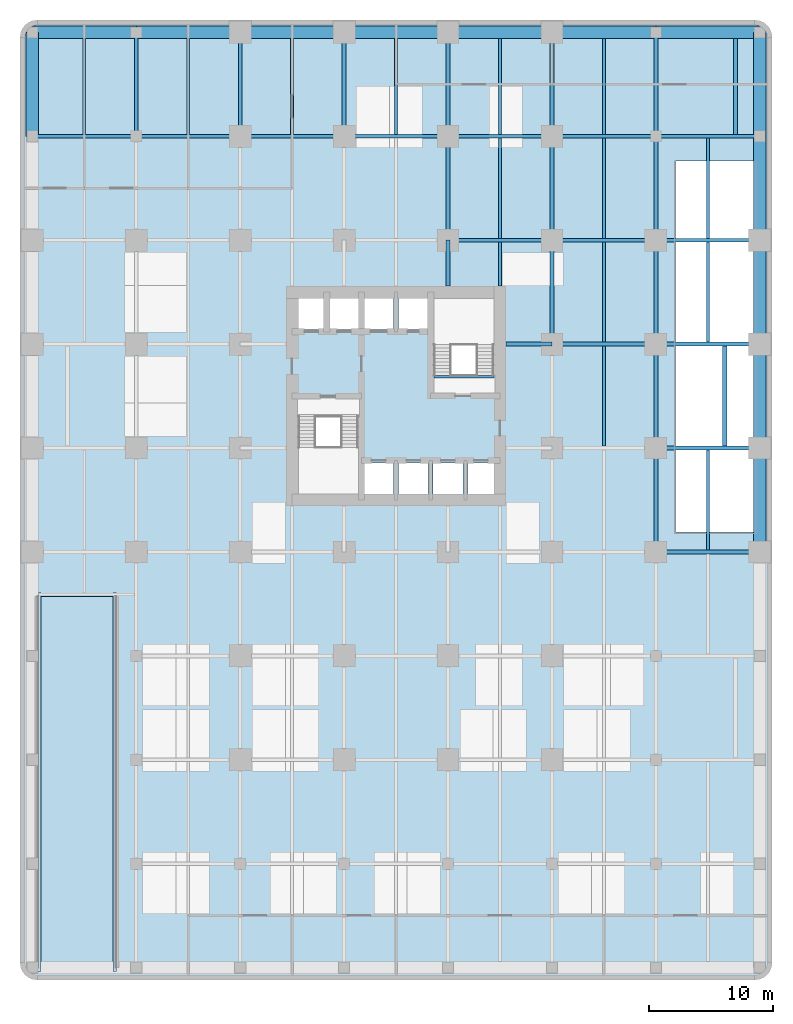
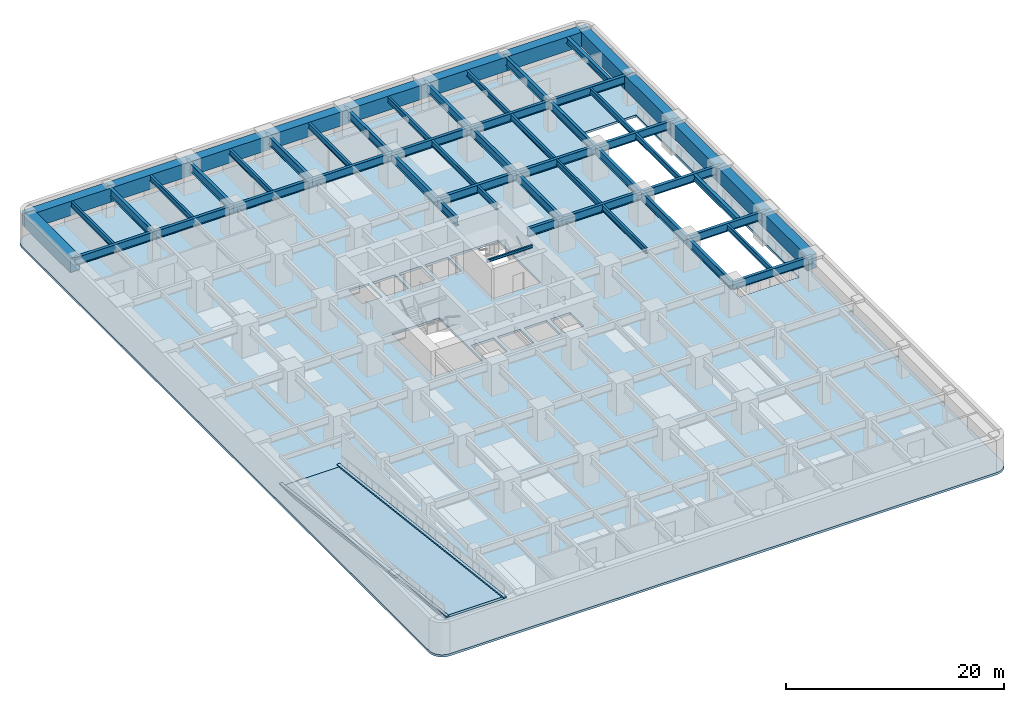
# One storey, part 3 of 9: 59 beams, 4 slabs.
"""IFC4 building model written with IfcOpenShell, lengths in metres."""

from ifc_helpers import new_model, si_unit, direction, frame, origin, origin_2d, place, context, subcontext, project, spatial, polyline, rectangle, i_section, outline, extrude, material, layer, layer_set, material_profile, profile_set, type_object, element, save


model = new_model("IFC4")

# Units and contexts
model_context = context("Model", 3, precision=1e-05, world=origin(), true_north=direction((0.0, 1.0)))
body_context = subcontext(model_context, "Body", "Model", "MODEL_VIEW")
ifc_project = project(units=[si_unit("LENGTHUNIT", "METRE"), si_unit("AREAUNIT", "SQUARE_METRE"), si_unit("VOLUMEUNIT", "CUBIC_METRE"), si_unit("PLANEANGLEUNIT", "RADIAN"), si_unit("MASSUNIT", "GRAM", prefix="KILO")], contexts=[model_context])

# Site, building, storey
site_placement = place(None, origin())
site = spatial("IfcSite", under=ifc_project, at=site_placement, CompositionType="ELEMENT")
building_placement = place(site_placement, origin())
building = spatial("IfcBuilding", under=site, at=building_placement, Name="Torre Alcanfor", CompositionType="ELEMENT")
storey_placement = place(building_placement, frame((0.0, 0.0, -3.60009765625)))
storey = spatial("IfcBuildingStorey", under=building, at=storey_placement, Name="B1", CompositionType="ELEMENT", Elevation=-3.60009765625)

# Beams
ifc_material_1 = material(Name="Steel ASTM A992 Grade 50", Category="steel")
ifc_material_profile_1 = material_profile(ifc_material_1, i_section(OverallWidth=0.3046875, OverallDepth=0.911865234375, WebThickness=0.015869140625, FlangeThickness=0.02392578125, at=origin_2d()), Name="W36x150")
ifc_profile_set_1 = profile_set([ifc_material_profile_1], Name="Steel ASTM A992 Grade 50")
beam_type_1 = type_object("IfcBeamType", Name="Girder W36x150", PredefinedType="BEAM", material=ifc_profile_set_1)
for number, where, z_axis, x_axis, name in (
    (1, (50.39990234375, 16.800048828125, 2.84423828125), (1.0, 0.0, 0.0), (0.0, 1.0, 0.0), "Beam 7E-8E under L00"),
    (2, (50.39990234375, 25.199951171875, 2.84423828125), (1.0, 0.0, 0.0), (0.0, 1.0, 0.0), "Beam 7F-8F under L00"),
):
    element("IfcBeam", number, at=place(storey_placement, frame(where, z_axis=z_axis, x_axis=x_axis)), inside=storey, type_object=beam_type_1, Name=name, PredefinedType="BEAM", context=body_context, shape_type="SweptSolid", body=[
        extrude(i_section(OverallWidth=0.3046875, OverallDepth=0.911865234375, WebThickness=0.015869140625, FlangeThickness=0.02392578125, at=origin_2d()), origin(), (0.0, 0.0, 1.0), 8.400146484375),
    ])
beam_1_placement = place(storey_placement, frame((42.0, 33.60009765625, 2.84423828125), z_axis=(1.0, 0.0, 0.0), x_axis=(0.0, 1.0, 0.0)))
element("IfcBeam", 3, at=beam_1_placement, inside=storey, type_object=beam_type_1, Name="Beam 6G-7G under L00", PredefinedType="BEAM", context=body_context, shape_type="SweptSolid", body=[
    extrude(i_section(OverallWidth=0.3046875, OverallDepth=0.911865234375, WebThickness=0.015869140625, FlangeThickness=0.02392578125, at=origin_2d()), origin(), (0.0, 0.0, 1.0), 8.39990234375),
])
beam_2_placement = place(storey_placement, frame((50.39990234375, 33.60009765625, 2.84423828125), z_axis=(1.0, 0.0, 0.0), x_axis=(0.0, 1.0, 0.0)))
element("IfcBeam", 4, at=beam_2_placement, inside=storey, type_object=beam_type_1, Name="Beam 7G-8G under L00", PredefinedType="BEAM", context=body_context, shape_type="SweptSolid", body=[
    extrude(i_section(OverallWidth=0.3046875, OverallDepth=0.911865234375, WebThickness=0.015869140625, FlangeThickness=0.02392578125, at=origin_2d()), origin(), (0.0, 0.0, 1.0), 8.400146484375),
])
for number, where, z_axis, x_axis, name in (
    (5, (33.60009765625, 42.0, 2.84423828125), (1.0, 0.0, 0.0), (0.0, 1.0, 0.0), "Beam 5H-6H under L00"),
    (6, (42.0, 42.0, 2.84423828125), (1.0, 0.0, 0.0), (0.0, 1.0, 0.0), "Beam 6H-7H under L00"),
):
    element("IfcBeam", number, at=place(storey_placement, frame(where, z_axis=z_axis, x_axis=x_axis)), inside=storey, type_object=beam_type_1, Name=name, PredefinedType="BEAM", context=body_context, shape_type="SweptSolid", body=[
        extrude(i_section(OverallWidth=0.3046875, OverallDepth=0.911865234375, WebThickness=0.015869140625, FlangeThickness=0.02392578125, at=origin_2d()), origin(), (0.0, 0.0, 1.0), 8.39990234375),
    ])
beam_3_placement = place(storey_placement, frame((50.39990234375, 42.0, 2.84423828125), z_axis=(1.0, 0.0, 0.0), x_axis=(0.0, 1.0, 0.0)))
element("IfcBeam", 7, at=beam_3_placement, inside=storey, type_object=beam_type_1, Name="Beam 7H-8H under L00", PredefinedType="BEAM", context=body_context, shape_type="SweptSolid", body=[
    extrude(i_section(OverallWidth=0.3046875, OverallDepth=0.911865234375, WebThickness=0.015869140625, FlangeThickness=0.02392578125, at=origin_2d()), origin(), (0.0, 0.0, 1.0), 8.400146484375),
])
beam_4_placement = place(storey_placement, frame((0.0, 50.39990234375, 2.84423828125), z_axis=(1.0, 0.0, 0.0), x_axis=(0.0, 1.0, 0.0)))
element("IfcBeam", 8, at=beam_4_placement, inside=storey, type_object=beam_type_1, Name="Beam 1J-2J under L00", PredefinedType="BEAM", context=body_context, shape_type="SweptSolid", body=[
    extrude(i_section(OverallWidth=0.3046875, OverallDepth=0.911865234375, WebThickness=0.015869140625, FlangeThickness=0.02392578125, at=origin_2d()), origin(), (0.0, 0.0, 1.0), 8.39990234375),
])
beam_5_placement = place(storey_placement, frame((8.39990234375, 50.39990234375, 2.84423828125), z_axis=(1.0, 0.0, 0.0), x_axis=(0.0, 1.0, 0.0)))
element("IfcBeam", 9, at=beam_5_placement, inside=storey, type_object=beam_type_1, Name="Beam 2J-3J under L00", PredefinedType="BEAM", context=body_context, shape_type="SweptSolid", body=[
    extrude(i_section(OverallWidth=0.3046875, OverallDepth=0.911865234375, WebThickness=0.015869140625, FlangeThickness=0.02392578125, at=origin_2d()), origin(), (0.0, 0.0, 1.0), 8.400146484375),
])
beam_6_placement = place(storey_placement, frame((16.800048828125, 50.39990234375, 2.84423828125), z_axis=(1.0, 0.0, 0.0), x_axis=(0.0, 1.0, 0.0)))
element("IfcBeam", 10, at=beam_6_placement, inside=storey, type_object=beam_type_1, Name="Beam 3J-4J under L00", PredefinedType="BEAM", context=body_context, shape_type="SweptSolid", body=[
    extrude(i_section(OverallWidth=0.3046875, OverallDepth=0.911865234375, WebThickness=0.015869140625, FlangeThickness=0.02392578125, at=origin_2d()), origin(), (0.0, 0.0, 1.0), 8.39990234375),
])
beam_7_placement = place(storey_placement, frame((25.199951171875, 50.39990234375, 2.84423828125), z_axis=(1.0, 0.0, 0.0), x_axis=(0.0, 1.0, 0.0)))
element("IfcBeam", 11, at=beam_7_placement, inside=storey, type_object=beam_type_1, Name="Beam 4J-5J under L00", PredefinedType="BEAM", context=body_context, shape_type="SweptSolid", body=[
    extrude(i_section(OverallWidth=0.3046875, OverallDepth=0.911865234375, WebThickness=0.015869140625, FlangeThickness=0.02392578125, at=origin_2d()), origin(), (0.0, 0.0, 1.0), 8.400146484375),
])
for number, where, z_axis, x_axis, name in (
    (12, (33.60009765625, 50.39990234375, 2.84423828125), (1.0, 0.0, 0.0), (0.0, 1.0, 0.0), "Beam 5J-6J under L00"),
    (13, (42.0, 50.39990234375, 2.84423828125), (1.0, 0.0, 0.0), (0.0, 1.0, 0.0), "Beam 6J-7J under L00"),
):
    element("IfcBeam", number, at=place(storey_placement, frame(where, z_axis=z_axis, x_axis=x_axis)), inside=storey, type_object=beam_type_1, Name=name, PredefinedType="BEAM", context=body_context, shape_type="SweptSolid", body=[
        extrude(i_section(OverallWidth=0.3046875, OverallDepth=0.911865234375, WebThickness=0.015869140625, FlangeThickness=0.02392578125, at=origin_2d()), origin(), (0.0, 0.0, 1.0), 8.39990234375),
    ])
for number, where, z_axis, x_axis, name in (
    (14, (50.39990234375, 50.39990234375, 2.84423828125), (1.0, 0.0, 0.0), (0.0, 1.0, 0.0), "Beam 7J-8J under L00"),
    (15, (8.39990234375, 50.39990234375, 2.84423828125), (0.0, 1.0, 0.0), (-1.0, 0.0, 0.0), "Beam 2J-2K under L00"),
    (16, (16.800048828125, 50.39990234375, 2.84423828125), (0.0, 1.0, 0.0), (-1.0, 0.0, 0.0), "Beam 3J-3K under L00"),
    (17, (25.199951171875, 50.39990234375, 2.84423828125), (0.0, 1.0, 0.0), (-1.0, 0.0, 0.0), "Beam 4J-4K under L00"),
):
    element("IfcBeam", number, at=place(storey_placement, frame(where, z_axis=z_axis, x_axis=x_axis)), inside=storey, type_object=beam_type_1, Name=name, PredefinedType="BEAM", context=body_context, shape_type="SweptSolid", body=[
        extrude(i_section(OverallWidth=0.3046875, OverallDepth=0.911865234375, WebThickness=0.015869140625, FlangeThickness=0.02392578125, at=origin_2d()), origin(), (0.0, 0.0, 1.0), 8.400146484375),
    ])
beam_8_placement = place(storey_placement, frame((33.60009765625, 42.0, 2.84423828125), z_axis=(0.0, 1.0, 0.0), x_axis=(-1.0, 0.0, 0.0)))
element("IfcBeam", 18, at=beam_8_placement, inside=storey, type_object=beam_type_1, Name="Beam 5H-5J under L00", PredefinedType="BEAM", context=body_context, shape_type="SweptSolid", body=[
    extrude(i_section(OverallWidth=0.3046875, OverallDepth=0.911865234375, WebThickness=0.015869140625, FlangeThickness=0.02392578125, at=origin_2d()), origin(), (0.0, 0.0, 1.0), 8.39990234375),
])
beam_9_placement = place(storey_placement, frame((33.60009765625, 50.39990234375, 2.84423828125), z_axis=(0.0, 1.0, 0.0), x_axis=(-1.0, 0.0, 0.0)))
element("IfcBeam", 19, at=beam_9_placement, inside=storey, type_object=beam_type_1, Name="Beam 5J-5K under L00", PredefinedType="BEAM", context=body_context, shape_type="SweptSolid", body=[
    extrude(i_section(OverallWidth=0.3046875, OverallDepth=0.911865234375, WebThickness=0.015869140625, FlangeThickness=0.02392578125, at=origin_2d()), origin(), (0.0, 0.0, 1.0), 8.400146484375),
])
for number, where, z_axis, x_axis, name in (
    (20, (42.0, 33.60009765625, 2.84423828125), (0.0, 1.0, 0.0), (-1.0, 0.0, 0.0), "Beam 6G-6H under L00"),
    (21, (42.0, 42.0, 2.84423828125), (0.0, 1.0, 0.0), (-1.0, 0.0, 0.0), "Beam 6H-6J under L00"),
):
    element("IfcBeam", number, at=place(storey_placement, frame(where, z_axis=z_axis, x_axis=x_axis)), inside=storey, type_object=beam_type_1, Name=name, PredefinedType="BEAM", context=body_context, shape_type="SweptSolid", body=[
        extrude(i_section(OverallWidth=0.3046875, OverallDepth=0.911865234375, WebThickness=0.015869140625, FlangeThickness=0.02392578125, at=origin_2d()), origin(), (0.0, 0.0, 1.0), 8.39990234375),
    ])
beam_10_placement = place(storey_placement, frame((42.0, 50.39990234375, 2.84423828125), z_axis=(0.0, 1.0, 0.0), x_axis=(-1.0, 0.0, 0.0)))
element("IfcBeam", 22, at=beam_10_placement, inside=storey, type_object=beam_type_1, Name="Beam 6J-6K under L00", PredefinedType="BEAM", context=body_context, shape_type="SweptSolid", body=[
    extrude(i_section(OverallWidth=0.3046875, OverallDepth=0.911865234375, WebThickness=0.015869140625, FlangeThickness=0.02392578125, at=origin_2d()), origin(), (0.0, 0.0, 1.0), 8.400146484375),
])
beam_11_placement = place(storey_placement, frame((50.39990234375, 16.800048828125, 2.84423828125), z_axis=(0.0, 1.0, 0.0), x_axis=(-1.0, 0.0, 0.0)))
element("IfcBeam", 23, at=beam_11_placement, inside=storey, type_object=beam_type_1, Name="Beam 7E-7F under L00", PredefinedType="BEAM", context=body_context, shape_type="SweptSolid", body=[
    extrude(i_section(OverallWidth=0.3046875, OverallDepth=0.911865234375, WebThickness=0.015869140625, FlangeThickness=0.02392578125, at=origin_2d()), origin(), (0.0, 0.0, 1.0), 8.39990234375),
])
beam_12_placement = place(storey_placement, frame((50.39990234375, 25.199951171875, 2.84423828125), z_axis=(0.0, 1.0, 0.0), x_axis=(-1.0, 0.0, 0.0)))
element("IfcBeam", 24, at=beam_12_placement, inside=storey, type_object=beam_type_1, Name="Beam 7F-7G under L00", PredefinedType="BEAM", context=body_context, shape_type="SweptSolid", body=[
    extrude(i_section(OverallWidth=0.3046875, OverallDepth=0.911865234375, WebThickness=0.015869140625, FlangeThickness=0.02392578125, at=origin_2d()), origin(), (0.0, 0.0, 1.0), 8.400146484375),
])
for number, where, z_axis, x_axis, name in (
    (25, (50.39990234375, 33.60009765625, 2.84423828125), (0.0, 1.0, 0.0), (-1.0, 0.0, 0.0), "Beam 7G-7H under L00"),
    (26, (50.39990234375, 42.0, 2.84423828125), (0.0, 1.0, 0.0), (-1.0, 0.0, 0.0), "Beam 7H-7J under L00"),
):
    element("IfcBeam", number, at=place(storey_placement, frame(where, z_axis=z_axis, x_axis=x_axis)), inside=storey, type_object=beam_type_1, Name=name, PredefinedType="BEAM", context=body_context, shape_type="SweptSolid", body=[
        extrude(i_section(OverallWidth=0.3046875, OverallDepth=0.911865234375, WebThickness=0.015869140625, FlangeThickness=0.02392578125, at=origin_2d()), origin(), (0.0, 0.0, 1.0), 8.39990234375),
    ])
beam_13_placement = place(storey_placement, frame((50.39990234375, 50.39990234375, 2.84423828125), z_axis=(0.0, 1.0, 0.0), x_axis=(-1.0, 0.0, 0.0)))
element("IfcBeam", 27, at=beam_13_placement, inside=storey, type_object=beam_type_1, Name="Beam 7J-7K under L00", PredefinedType="BEAM", context=body_context, shape_type="SweptSolid", body=[
    extrude(i_section(OverallWidth=0.3046875, OverallDepth=0.911865234375, WebThickness=0.015869140625, FlangeThickness=0.02392578125, at=origin_2d()), origin(), (0.0, 0.0, 1.0), 8.400146484375),
])
ifc_material_2 = material(Name="Steel ASTM A992 Grade 50", Category="steel")
ifc_material_profile_2 = material_profile(ifc_material_2, i_section(OverallWidth=0.3046875, OverallDepth=0.911865234375, WebThickness=0.015869140625, FlangeThickness=0.02392578125, at=origin_2d()), Name="W36x150")
ifc_profile_set_2 = profile_set([ifc_material_profile_2], Name="Steel ASTM A992 Grade 50")
beam_type_2 = type_object("IfcBeamType", Name="Girder, part bay W36x150", PredefinedType="BEAM", material=ifc_profile_set_2)
for number, where, z_axis, x_axis, name in (
    (28, (33.60009765625, 42.0, 2.84423828125), (0.0, -1.0, 0.0), (1.0, 0.0, 0.0), "Beam 5H-538_3 under L00"),
    (29, (42.0, 33.60009765625, 2.84423828125), (-1.0, 0.0, 0.0), (0.0, -1.0, 0.0), "Beam 6G-38_3G under L00"),
):
    element("IfcBeam", number, at=place(storey_placement, frame(where, z_axis=z_axis, x_axis=x_axis)), inside=storey, type_object=beam_type_2, Name=name, PredefinedType="BEAM", context=body_context, shape_type="SweptSolid", body=[
        extrude(i_section(OverallWidth=0.3046875, OverallDepth=0.911865234375, WebThickness=0.015869140625, FlangeThickness=0.02392578125, at=origin_2d()), origin(), (0.0, 0.0, 1.0), 3.699951171875),
    ])
ifc_material_3 = material(Name="Concrete f'c 70 MPa", Category="concrete")
ifc_material_profile_3 = material_profile(ifc_material_3, rectangle(XDim=1.0, YDim=1.60009765625, at=origin_2d()), Name="1000x1600")
ifc_profile_set_3 = profile_set([ifc_material_profile_3], Name="Concrete f'c 70 MPa")
beam_type_3 = type_object("IfcBeamType", Name="RC perimeter beam 1000x1600", PredefinedType="BEAM", material=ifc_profile_set_3)
beam_14_placement = place(storey_placement, frame((-0.5, 58.800048828125, 2.5), z_axis=(1.0, 0.0, 0.0), x_axis=(0.0, 1.0, 0.0)))
element("IfcBeam", 30, at=beam_14_placement, inside=storey, type_object=beam_type_3, Name="Beam 1K-2K under L00", PredefinedType="BEAM", context=body_context, shape_type="SweptSolid", body=[
    extrude(rectangle(XDim=1.0, YDim=1.60009765625, at=origin_2d()), origin(), (0.0, 0.0, 1.0), 8.89990234375),
])
beam_15_placement = place(storey_placement, frame((8.39990234375, 58.800048828125, 2.5), z_axis=(1.0, 0.0, 0.0), x_axis=(0.0, 1.0, 0.0)))
element("IfcBeam", 31, at=beam_15_placement, inside=storey, type_object=beam_type_3, Name="Beam 2K-3K under L00", PredefinedType="BEAM", context=body_context, shape_type="SweptSolid", body=[
    extrude(rectangle(XDim=1.0, YDim=1.60009765625, at=origin_2d()), origin(), (0.0, 0.0, 1.0), 8.400146484375),
])
beam_16_placement = place(storey_placement, frame((16.800048828125, 58.800048828125, 2.5), z_axis=(1.0, 0.0, 0.0), x_axis=(0.0, 1.0, 0.0)))
element("IfcBeam", 32, at=beam_16_placement, inside=storey, type_object=beam_type_3, Name="Beam 3K-4K under L00", PredefinedType="BEAM", context=body_context, shape_type="SweptSolid", body=[
    extrude(rectangle(XDim=1.0, YDim=1.60009765625, at=origin_2d()), origin(), (0.0, 0.0, 1.0), 8.39990234375),
])
beam_17_placement = place(storey_placement, frame((25.199951171875, 58.800048828125, 2.5), z_axis=(1.0, 0.0, 0.0), x_axis=(0.0, 1.0, 0.0)))
element("IfcBeam", 33, at=beam_17_placement, inside=storey, type_object=beam_type_3, Name="Beam 4K-5K under L00", PredefinedType="BEAM", context=body_context, shape_type="SweptSolid", body=[
    extrude(rectangle(XDim=1.0, YDim=1.60009765625, at=origin_2d()), origin(), (0.0, 0.0, 1.0), 8.400146484375),
])
for number, where, z_axis, x_axis, name in (
    (34, (33.60009765625, 58.800048828125, 2.5), (1.0, 0.0, 0.0), (0.0, 1.0, 0.0), "Beam 5K-6K under L00"),
    (35, (42.0, 58.800048828125, 2.5), (1.0, 0.0, 0.0), (0.0, 1.0, 0.0), "Beam 6K-7K under L00"),
):
    element("IfcBeam", number, at=place(storey_placement, frame(where, z_axis=z_axis, x_axis=x_axis)), inside=storey, type_object=beam_type_3, Name=name, PredefinedType="BEAM", context=body_context, shape_type="SweptSolid", body=[
        extrude(rectangle(XDim=1.0, YDim=1.60009765625, at=origin_2d()), origin(), (0.0, 0.0, 1.0), 8.39990234375),
    ])
beam_18_placement = place(storey_placement, frame((50.39990234375, 58.800048828125, 2.5), z_axis=(1.0, 0.0, 0.0), x_axis=(0.0, 1.0, 0.0)))
element("IfcBeam", 36, at=beam_18_placement, inside=storey, type_object=beam_type_3, Name="Beam 7K-8K under L00", PredefinedType="BEAM", context=body_context, shape_type="SweptSolid", body=[
    extrude(rectangle(XDim=1.0, YDim=1.60009765625, at=origin_2d()), origin(), (0.0, 0.0, 1.0), 8.900146484375),
])
beam_19_placement = place(storey_placement, frame((0.0, 50.39990234375, 2.5), z_axis=(0.0, 1.0, 0.0), x_axis=(-1.0, 0.0, 0.0)))
element("IfcBeam", 37, at=beam_19_placement, inside=storey, type_object=beam_type_3, Name="Beam 1J-1K under L00", PredefinedType="BEAM", context=body_context, shape_type="SweptSolid", body=[
    extrude(rectangle(XDim=1.0, YDim=1.60009765625, at=origin_2d()), origin(), (0.0, 0.0, 1.0), 8.400146484375),
])
beam_20_placement = place(storey_placement, frame((58.800048828125, 16.800048828125, 2.5), z_axis=(0.0, 1.0, 0.0), x_axis=(-1.0, 0.0, 0.0)))
element("IfcBeam", 38, at=beam_20_placement, inside=storey, type_object=beam_type_3, Name="Beam 8E-8F under L00", PredefinedType="BEAM", context=body_context, shape_type="SweptSolid", body=[
    extrude(rectangle(XDim=1.0, YDim=1.60009765625, at=origin_2d()), origin(), (0.0, 0.0, 1.0), 8.39990234375),
])
beam_21_placement = place(storey_placement, frame((58.800048828125, 25.199951171875, 2.5), z_axis=(0.0, 1.0, 0.0), x_axis=(-1.0, 0.0, 0.0)))
element("IfcBeam", 39, at=beam_21_placement, inside=storey, type_object=beam_type_3, Name="Beam 8F-8G under L00", PredefinedType="BEAM", context=body_context, shape_type="SweptSolid", body=[
    extrude(rectangle(XDim=1.0, YDim=1.60009765625, at=origin_2d()), origin(), (0.0, 0.0, 1.0), 8.400146484375),
])
for number, where, z_axis, x_axis, name in (
    (40, (58.800048828125, 33.60009765625, 2.5), (0.0, 1.0, 0.0), (-1.0, 0.0, 0.0), "Beam 8G-8H under L00"),
    (41, (58.800048828125, 42.0, 2.5), (0.0, 1.0, 0.0), (-1.0, 0.0, 0.0), "Beam 8H-8J under L00"),
):
    element("IfcBeam", number, at=place(storey_placement, frame(where, z_axis=z_axis, x_axis=x_axis)), inside=storey, type_object=beam_type_3, Name=name, PredefinedType="BEAM", context=body_context, shape_type="SweptSolid", body=[
        extrude(rectangle(XDim=1.0, YDim=1.60009765625, at=origin_2d()), origin(), (0.0, 0.0, 1.0), 8.39990234375),
    ])
beam_22_placement = place(storey_placement, frame((58.800048828125, 50.39990234375, 2.5), z_axis=(0.0, 1.0, 0.0), x_axis=(-1.0, 0.0, 0.0)))
element("IfcBeam", 42, at=beam_22_placement, inside=storey, type_object=beam_type_3, Name="Beam 8J-8K under L00", PredefinedType="BEAM", context=body_context, shape_type="SweptSolid", body=[
    extrude(rectangle(XDim=1.0, YDim=1.60009765625, at=origin_2d()), origin(), (0.0, 0.0, 1.0), 8.400146484375),
])
ifc_material_4 = material(Name="Steel ASTM A992 Grade 50", Category="steel")
ifc_material_profile_4 = material_profile(ifc_material_4, i_section(OverallWidth=0.22900390625, OverallDepth=0.612060546875, WebThickness=0.011962890625, FlangeThickness=0.01953125, at=origin_2d()), Name="W24x84")
ifc_profile_set_4 = profile_set([ifc_material_profile_4], Name="Steel ASTM A992 Grade 50")
beam_type_4 = type_object("IfcBeamType", Name="Secondary beam W24x84", PredefinedType="BEAM", material=ifc_profile_set_4)
for number, where, z_axis, x_axis, name in (
    (43, (4.199951171875, 50.552001953125, 2.994140625), (0.0, 1.0, 0.0), (-1.0, 0.0, 0.0), "Beam 4_2J-4_2K under L00"),
    (44, (12.60009765625, 50.552001953125, 2.994140625), (0.0, 1.0, 0.0), (-1.0, 0.0, 0.0), "Beam 12_6J-12_6K under L00"),
    (45, (21.0, 50.552001953125, 2.994140625), (0.0, 1.0, 0.0), (-1.0, 0.0, 0.0), "Beam 21J-21K under L00"),
    (46, (29.39990234375, 50.552001953125, 2.994140625), (0.0, 1.0, 0.0), (-1.0, 0.0, 0.0), "Beam 29_4J-29_4K under L00"),
):
    element("IfcBeam", number, at=place(storey_placement, frame(where, z_axis=z_axis, x_axis=x_axis)), inside=storey, type_object=beam_type_4, Name=name, PredefinedType="BEAM", context=body_context, shape_type="SweptSolid", body=[
        extrude(i_section(OverallWidth=0.22900390625, OverallDepth=0.612060546875, WebThickness=0.011962890625, FlangeThickness=0.01953125, at=origin_2d()), origin(), (0.0, 0.0, 1.0), 7.748046875),
    ])
beam_23_placement = place(storey_placement, frame((37.800048828125, 42.152099609375, 2.994140625), z_axis=(0.0, 1.0, 0.0), x_axis=(-1.0, 0.0, 0.0)))
element("IfcBeam", 47, at=beam_23_placement, inside=storey, type_object=beam_type_4, Name="Beam 37_8H-37_8J under L00", PredefinedType="BEAM", context=body_context, shape_type="SweptSolid", body=[
    extrude(i_section(OverallWidth=0.22900390625, OverallDepth=0.612060546875, WebThickness=0.011962890625, FlangeThickness=0.01953125, at=origin_2d()), origin(), (0.0, 0.0, 1.0), 8.095947265625),
])
beam_24_placement = place(storey_placement, frame((37.800048828125, 50.552001953125, 2.994140625), z_axis=(0.0, 1.0, 0.0), x_axis=(-1.0, 0.0, 0.0)))
element("IfcBeam", 48, at=beam_24_placement, inside=storey, type_object=beam_type_4, Name="Beam 37_8J-37_8K under L00", PredefinedType="BEAM", context=body_context, shape_type="SweptSolid", body=[
    extrude(i_section(OverallWidth=0.22900390625, OverallDepth=0.612060546875, WebThickness=0.011962890625, FlangeThickness=0.01953125, at=origin_2d()), origin(), (0.0, 0.0, 1.0), 7.748046875),
])
for number, where, z_axis, x_axis, name in (
    (49, (46.199951171875, 25.35205078125, 2.994140625), (0.0, 1.0, 0.0), (-1.0, 0.0, 0.0), "Beam 46_2F-46_2G under L00"),
    (50, (46.199951171875, 33.751953125, 2.994140625), (0.0, 1.0, 0.0), (-1.0, 0.0, 0.0), "Beam 46_2G-46_2H under L00"),
    (51, (46.199951171875, 42.152099609375, 2.994140625), (0.0, 1.0, 0.0), (-1.0, 0.0, 0.0), "Beam 46_2H-46_2J under L00"),
):
    element("IfcBeam", number, at=place(storey_placement, frame(where, z_axis=z_axis, x_axis=x_axis)), inside=storey, type_object=beam_type_4, Name=name, PredefinedType="BEAM", context=body_context, shape_type="SweptSolid", body=[
        extrude(i_section(OverallWidth=0.22900390625, OverallDepth=0.612060546875, WebThickness=0.011962890625, FlangeThickness=0.01953125, at=origin_2d()), origin(), (0.0, 0.0, 1.0), 8.095947265625),
    ])
beam_25_placement = place(storey_placement, frame((46.199951171875, 50.552001953125, 2.994140625), z_axis=(0.0, 1.0, 0.0), x_axis=(-1.0, 0.0, 0.0)))
element("IfcBeam", 52, at=beam_25_placement, inside=storey, type_object=beam_type_4, Name="Beam 46_2J-46_2K under L00", PredefinedType="BEAM", context=body_context, shape_type="SweptSolid", body=[
    extrude(i_section(OverallWidth=0.22900390625, OverallDepth=0.612060546875, WebThickness=0.011962890625, FlangeThickness=0.01953125, at=origin_2d()), origin(), (0.0, 0.0, 1.0), 7.748046875),
])
beam_26_placement = place(storey_placement, frame((54.60009765625, 16.951904296875, 2.994140625), z_axis=(0.0, 1.0, 0.0), x_axis=(-1.0, 0.0, 0.0)))
element("IfcBeam", 53, at=beam_26_placement, inside=storey, type_object=beam_type_4, Name="Beam 54_6E-54_6F under L00", PredefinedType="BEAM", context=body_context, shape_type="SweptSolid", body=[
    extrude(i_section(OverallWidth=0.22900390625, OverallDepth=0.612060546875, WebThickness=0.011962890625, FlangeThickness=0.01953125, at=origin_2d()), origin(), (0.0, 0.0, 1.0), 8.09619140625),
])
for number, where, z_axis, x_axis, name in (
    (54, (54.60009765625, 33.751953125, 2.994140625), (0.0, 1.0, 0.0), (-1.0, 0.0, 0.0), "Beam 54_6G-54_6H under L00"),
    (55, (54.60009765625, 42.152099609375, 2.994140625), (0.0, 1.0, 0.0), (-1.0, 0.0, 0.0), "Beam 54_6H-54_6J under L00"),
):
    element("IfcBeam", number, at=place(storey_placement, frame(where, z_axis=z_axis, x_axis=x_axis)), inside=storey, type_object=beam_type_4, Name=name, PredefinedType="BEAM", context=body_context, shape_type="SweptSolid", body=[
        extrude(i_section(OverallWidth=0.22900390625, OverallDepth=0.612060546875, WebThickness=0.011962890625, FlangeThickness=0.01953125, at=origin_2d()), origin(), (0.0, 0.0, 1.0), 8.095947265625),
    ])
ifc_material_5 = material(Name="Steel ASTM A992 Grade 50", Category="steel")
ifc_material_profile_5 = material_profile(ifc_material_5, i_section(OverallWidth=0.22900390625, OverallDepth=0.612060546875, WebThickness=0.011962890625, FlangeThickness=0.01953125, at=origin_2d()), Name="W24x84")
ifc_profile_set_5 = profile_set([ifc_material_profile_5], Name="Steel ASTM A992 Grade 50")
beam_type_5 = type_object("IfcBeamType", Name="Secondary beam, part bay W24x84", PredefinedType="BEAM", material=ifc_profile_set_5)
beam_27_placement = place(storey_placement, frame((37.800048828125, 38.300048828125, 2.994140625), z_axis=(0.0, 1.0, 0.0), x_axis=(-1.0, 0.0, 0.0)))
element("IfcBeam", 56, at=beam_27_placement, inside=storey, type_object=beam_type_5, Name="Beam 37_838_3-37_8H under L00", PredefinedType="BEAM", context=body_context, shape_type="SweptSolid", body=[
    extrude(i_section(OverallWidth=0.22900390625, OverallDepth=0.612060546875, WebThickness=0.011962890625, FlangeThickness=0.01953125, at=origin_2d()), origin(), (0.0, 0.0, 1.0), 3.5478515625),
])
ifc_material_6 = material(Name="Steel ASTM A992 Grade 50", Category="steel")
ifc_material_profile_6 = material_profile(ifc_material_6, i_section(OverallWidth=0.164794921875, OverallDepth=0.309814453125, WebThickness=0.005859375, FlangeThickness=0.009765625, at=origin_2d()), Name="W12x26")
ifc_profile_set_6 = profile_set([ifc_material_profile_6], Name="Steel ASTM A992 Grade 50")
beam_type_6 = type_object("IfcBeamType", Name="Stair landing beam W12x26", PredefinedType="BEAM", material=ifc_profile_set_6)
beam_28_placement = place(storey_placement, frame((32.449951171875, 30.962646484375, 3.2451171875), z_axis=(1.0, 0.0, 0.0), x_axis=(0.0, 1.0, 0.0)))
element("IfcBeam", 57, at=beam_28_placement, inside=storey, type_object=beam_type_6, Name="Landing trimmer S2 L00", PredefinedType="BEAM", context=body_context, shape_type="SweptSolid", body=[
    extrude(i_section(OverallWidth=0.164794921875, OverallDepth=0.309814453125, WebThickness=0.005859375, FlangeThickness=0.009765625, at=origin_2d()), origin(), (0.0, 0.0, 1.0), 4.85009765625),
])
ifc_material_7 = material(Name="Steel ASTM A992 Grade 50", Category="steel")
ifc_material_profile_7 = material_profile(ifc_material_7, i_section(OverallWidth=0.332763671875, OverallDepth=0.660400390625, WebThickness=0.0244140625, FlangeThickness=0.0439453125, at=origin_2d()), Name="W24x229")
ifc_profile_set_7 = profile_set([ifc_material_profile_7], Name="Steel ASTM A992 Grade 50")
beam_type_7 = type_object("IfcBeamType", Name="Stair spine transfer beam W24x229", PredefinedType="BEAM", material=ifc_profile_set_7)
beam_29_placement = place(storey_placement, frame((55.969970703125, 25.35205078125, 2.969970703125), z_axis=(0.0, 1.0, 0.0), x_axis=(-1.0, 0.0, 0.0)))
element("IfcBeam", 58, at=beam_29_placement, inside=storey, type_object=beam_type_7, Name="Beam 55_97F-55_97G under L00", PredefinedType="BEAM", context=body_context, shape_type="SweptSolid", body=[
    extrude(i_section(OverallWidth=0.332763671875, OverallDepth=0.660400390625, WebThickness=0.0244140625, FlangeThickness=0.0439453125, at=origin_2d()), origin(), (0.0, 0.0, 1.0), 8.095947265625),
])
beam_30_placement = place(storey_placement, frame((56.85009765625, 50.552001953125, 2.969970703125), z_axis=(0.0, 1.0, 0.0), x_axis=(-1.0, 0.0, 0.0)))
element("IfcBeam", 59, at=beam_30_placement, inside=storey, type_object=beam_type_7, Name="Beam 56_85J-56_85K under L00", PredefinedType="BEAM", context=body_context, shape_type="SweptSolid", body=[
    extrude(i_section(OverallWidth=0.332763671875, OverallDepth=0.660400390625, WebThickness=0.0244140625, FlangeThickness=0.0439453125, at=origin_2d()), origin(), (0.0, 0.0, 1.0), 7.748046875),
])

# Slabs
ifc_material_8 = material(Name="Concrete f'c 35 MPa", Category="concrete")
ifc_layer_1 = layer(ifc_material_8, 0.25)
ifc_layer_set_1 = layer_set([ifc_layer_1], Name="Concrete f'c 35 MPa")
slab_type_1 = type_object("IfcSlabType", Name="Car park ramp flight 250", PredefinedType="USERDEFINED", material=ifc_layer_set_1)
slab_1_placement = place(storey_placement, frame((0.39990234375, -16.800048828125, 3.60009765625), z_axis=(0.0, 0.119148406757, 0.992876456145), x_axis=(1.0, 0.0, 0.0)))
element("IfcSlab", 60, at=slab_1_placement, inside=storey, type_object=slab_type_1, Name="Car park ramp R1 flight", ObjectType="RAMP SLAB", PredefinedType="USERDEFINED", context=body_context, shape_type="SweptSolid", body=[
    extrude(outline(polyline([(0.0, 0.0), (6.400146484375, 0.0), (6.400146484375, 30.215239584265035), (0.0, 30.215239584265035), (0.0, 0.0)])), origin(), (0.0, 0.0, -1.0), 0.25),
])
ifc_material_9 = material(Name="Concrete f'c 35 MPa", Category="concrete")
ifc_layer_2 = layer(ifc_material_9, 0.25)
ifc_layer_set_2 = layer_set([ifc_layer_2], Name="Floor slab 250")
slab_type_2 = type_object("IfcSlabType", Name="Floor slab 250", PredefinedType="FLOOR", material=ifc_layer_set_2)
slab_2_placement = place(storey_placement, frame((0.0, 0.0, -0.25)))
element("IfcSlab", 61, at=slab_2_placement, inside=storey, type_object=slab_type_2, Name="Floor slab B1", PredefinedType="FLOOR", context=body_context, shape_type="SweptSolid", body=[
    extrude(outline(polyline([(58.39990234375, -17.800048828125), (58.76220703125, -17.752197265625), (59.10009765625, -17.6123046875), (59.389892578125, -17.389892578125), (59.6123046875, -17.10009765625), (59.752197265625, -16.76220703125), (59.800048828125, -16.39990234375), (59.800048828125, 58.39990234375), (59.752197265625, 58.76220703125), (59.6123046875, 59.10009765625), (59.389892578125, 59.389892578125), (59.10009765625, 59.6123046875), (58.76220703125, 59.752197265625), (58.39990234375, 59.800048828125), (0.39990234375, 59.800048828125), (0.03759765625, 59.752197265625), (-0.300048828125, 59.6123046875), (-0.58984375, 59.389892578125), (-0.8125, 59.10009765625), (-0.952392578125, 58.76220703125), (-1.0, 58.39990234375), (-1.0, -16.39990234375), (-0.952392578125, -16.76220703125), (-0.8125, -17.10009765625), (-0.58984375, -17.389892578125), (-0.300048828125, -17.6123046875), (0.03759765625, -17.752197265625), (0.39990234375, -17.800048828125), (58.39990234375, -17.800048828125)]), holes=[polyline([(21.419921875, 21.419921875), (26.47998046875, 21.419921875), (26.47998046875, 29.280029296875), (21.419921875, 29.280029296875), (21.419921875, 21.419921875)]), polyline([(32.320068359375, 29.52001953125), (37.3798828125, 29.52001953125), (37.3798828125, 37.3798828125), (32.320068359375, 37.3798828125), (32.320068359375, 29.52001953125)]), polyline([(26.800048828125, 21.5), (29.199951171875, 21.5), (29.199951171875, 24.0), (26.800048828125, 24.0), (26.800048828125, 21.5)]), polyline([(29.60009765625, 21.5), (32.0, 21.5), (32.0, 24.0), (29.60009765625, 24.0), (29.60009765625, 21.5)]), polyline([(32.39990234375, 21.5), (34.800048828125, 21.5), (34.800048828125, 24.0), (32.39990234375, 24.0), (32.39990234375, 21.5)]), polyline([(35.199951171875, 21.5), (37.300048828125, 21.5), (37.300048828125, 24.0), (35.199951171875, 24.0), (35.199951171875, 21.5)]), polyline([(21.5, 34.800048828125), (23.60009765625, 34.800048828125), (23.60009765625, 37.300048828125), (21.5, 37.300048828125), (21.5, 34.800048828125)]), polyline([(24.0, 34.800048828125), (26.39990234375, 34.800048828125), (26.39990234375, 37.300048828125), (24.0, 37.300048828125), (24.0, 34.800048828125)]), polyline([(26.800048828125, 34.800048828125), (29.199951171875, 34.800048828125), (29.199951171875, 37.300048828125), (26.800048828125, 37.300048828125), (26.800048828125, 34.800048828125)]), polyline([(29.60009765625, 34.800048828125), (32.0, 34.800048828125), (32.0, 37.300048828125), (29.60009765625, 37.300048828125), (29.60009765625, 34.800048828125)]), polyline([(52.0, 18.39990234375), (58.39990234375, 18.39990234375), (58.39990234375, 48.39990234375), (52.0, 48.39990234375), (52.0, 18.39990234375)])]), origin(), (0.0, 0.0, 1.0), 0.25),
])
ifc_material_10 = material(Name="Concrete f'c 35 MPa", Category="concrete")
ifc_layer_3 = layer(ifc_material_10, 0.14990234375)
ifc_layer_set_3 = layer_set([ifc_layer_3], Name="Concrete f'c 35 MPa")
slab_type_3 = type_object("IfcSlabType", Name="Ramp kerb walkway 300x150", PredefinedType="USERDEFINED", material=ifc_layer_set_3)
for number, where, z_axis, x_axis, name in (
    (62, (0.550048828125, -17.10009765625, 0.0), (0.0, 0.0, 1.0), (0.0, 1.0, 0.0), "Car park ramp R1 kerb walkway west"),
    (63, (6.64990234375, -17.10009765625, 0.0), (0.0, 0.0, 1.0), (0.0, 1.0, 0.0), "Car park ramp R1 kerb walkway east"),
):
    element("IfcSlab", number, at=place(storey_placement, frame(where, z_axis=z_axis, x_axis=x_axis)), inside=storey, type_object=slab_type_3, Name=name, ObjectType="KERB WALKWAY", PredefinedType="USERDEFINED", context=body_context, shape_type="SweptSolid", body=[
        extrude(outline(polyline([(0.0, 3.60009765625), (0.300048828125, 3.60009765625), (30.300048828125, 0.0), (30.60009765625, 0.0), (30.60009765625, 0.150146484375), (30.300048828125, 0.150146484375), (0.300048828125, 3.75), (0.0, 3.75), (0.0, 3.60009765625)])), frame((0.0, 0.14990234375, 0.0), z_axis=(0.0, -1.0, 0.0), x_axis=(1.0, 0.0, 0.0)), (0.0, 0.0, 1.0), 0.300048828125),
    ])

save(model, "model.ifc")
